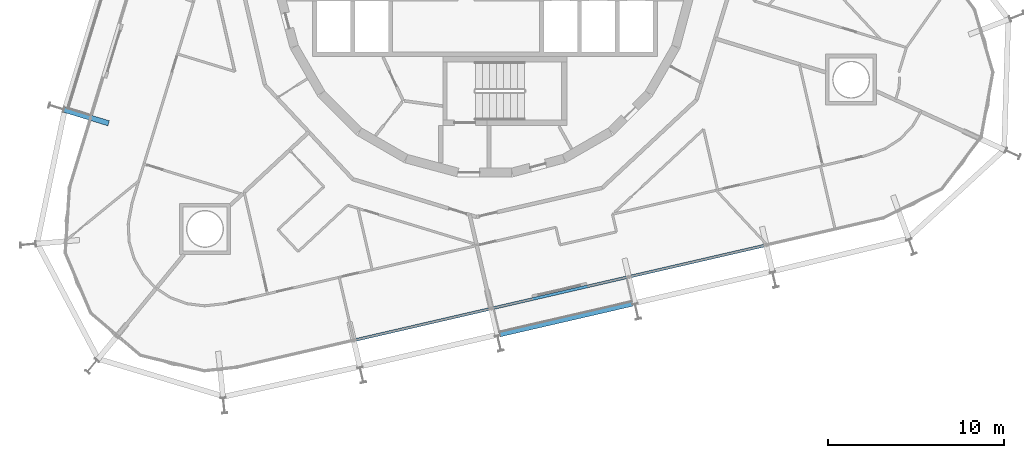
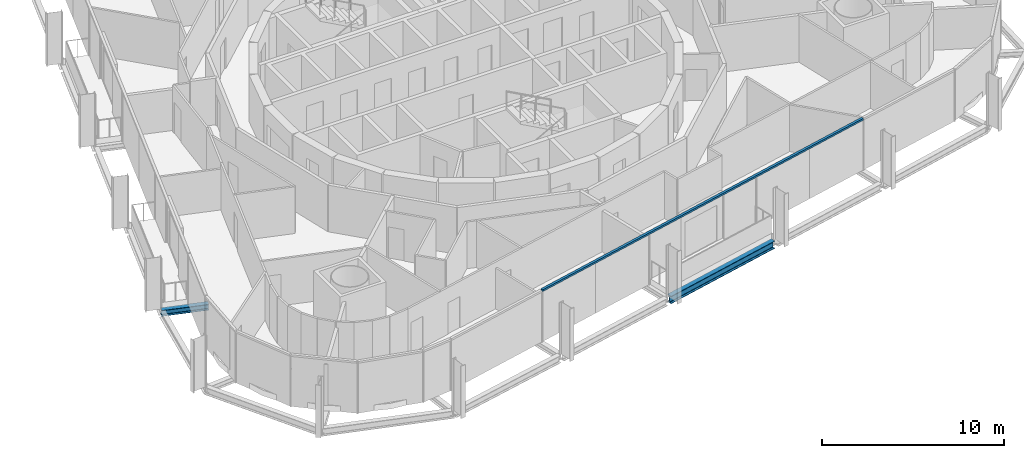
# One storey, part 4 of 18: 2 beams, 1 member, 1 element without a shape of its own.
"""IFC4 building model written with IfcOpenShell, lengths in metres."""

from ifc_helpers import new_model, si_unit, direction, frame, origin, origin_2d, place, context, subcontext, project, spatial, rectangle, i_section, extrude, material, layer, layer_set, material_profile, profile_set, type_object, element, aggregate, save


model = new_model("IFC4")

# Units and contexts
model_context = context("Model", 3, precision=1e-05, world=origin(), true_north=direction((0.0, 1.0)))
body_context = subcontext(model_context, "Body", "Model", "MODEL_VIEW")
ifc_project = project(units=[si_unit("LENGTHUNIT", "METRE"), si_unit("AREAUNIT", "SQUARE_METRE"), si_unit("VOLUMEUNIT", "CUBIC_METRE"), si_unit("PLANEANGLEUNIT", "RADIAN"), si_unit("MASSUNIT", "GRAM", prefix="KILO")], contexts=[model_context])

# Site, building, storey
site_placement = place(None, origin())
site = spatial("IfcSite", under=ifc_project, at=site_placement, CompositionType="ELEMENT")
building_placement = place(site_placement, origin())
building = spatial("IfcBuilding", under=site, at=building_placement, Name="Spindle Arch Residences", CompositionType="ELEMENT")
storey_placement = place(building_placement, frame((0.0, 0.0, 137.89990234375)))
storey = spatial("IfcBuildingStorey", under=building, at=storey_placement, Name="L34", CompositionType="ELEMENT", Elevation=137.89990234375)

# Curtain wall, member
ifc_material_1 = material(Name="Aluminium bronze unitised frame with tinted glass", Category="aluminium")
ifc_layer = layer(ifc_material_1, 0.159912109375)
ifc_layer_set = layer_set([ifc_layer], Name="CW-C typical residential unitised wall")
curtain_wall_type = type_object("IfcCurtainWallType", Name="CW-C typical residential unitised wall", PredefinedType="NOTDEFINED", material=ifc_layer_set)
curtain_wall_placement = place(storey_placement, origin())
curtain_wall = element("IfcCurtainWall", 1, at=curtain_wall_placement, inside=storey, type_object=curtain_wall_type, Name="CW-C L34 run 6", PredefinedType="NOTDEFINED")
ifc_material_2 = material(Name="Aluminium bronze anodised transom", Category="aluminium")
ifc_material_profile_1 = material_profile(ifc_material_2, rectangle(XDim=0.159912109375, YDim=0.1201171875, at=origin_2d()), Name="TR 120x160")
ifc_profile_set_1 = profile_set([ifc_material_profile_1], Name="Aluminium bronze anodised transom")
member_type = type_object("IfcMemberType", Name="Bronze transom 120x160", PredefinedType="USERDEFINED", material=ifc_profile_set_1)
member_placement = place(storey_placement, frame((-7.438232421875, -21.187255859375, 3.06005859375), z_axis=(0.974369784879, 0.224952266747, 0.0), x_axis=(-0.224952266747, 0.974369784879, 0.0)))
member = element("IfcMember", 2, at=member_placement, type_object=member_type, Name="CW-C transom 00", ObjectType="TRANSOM", PredefinedType="USERDEFINED", context=body_context, shape_type="SweptSolid", body=[
    extrude(rectangle(XDim=0.159912109375, YDim=0.1201171875, at=origin_2d()), origin(), (0.0, 0.0, 1.0), 24.02734375),
])
aggregate(curtain_wall, [member])

# Beams
ifc_material_3 = material(Name="Steel S460ML, intumescent coating R 120", Category="steel")
ifc_material_profile_2 = material_profile(ifc_material_3, i_section(OverallWidth=0.300048828125, OverallDepth=0.5, WebThickness=0.014404296875, FlangeThickness=0.028076171875, FilletRadius=0.027099609375, at=origin_2d()), Name="HEB 500")
ifc_profile_set_2 = profile_set([ifc_material_profile_2], Name="Steel S460ML, intumescent coating R 120")
beam_type_1 = type_object("IfcBeamType", Name="Exoskeleton edge beam HEB 500", PredefinedType="BEAM", material=ifc_profile_set_2)
beam_1_placement = place(storey_placement, frame((0.82666015625, -20.849365234375, -0.6298828125), z_axis=(0.974366827477, 0.224965076206, 0.0), x_axis=(-0.224965076206, 0.974366827477, 0.0)))
element("IfcBeam", 3, at=beam_1_placement, inside=storey, type_object=beam_type_1, Name="Exoskeleton edge beam 22", PredefinedType="BEAM", context=body_context, shape_type="SweptSolid", body=[
    extrude(i_section(OverallWidth=0.300048828125, OverallDepth=0.5, WebThickness=0.014404296875, FlangeThickness=0.028076171875, FilletRadius=0.027099609375, at=origin_2d()), origin(), (0.0, 0.0, 1.0), 7.769287109375),
])
ifc_material_4 = material(Name="Steel S460ML, intumescent coating R 120", Category="steel")
ifc_material_profile_3 = material_profile(ifc_material_4, i_section(OverallWidth=0.300048828125, OverallDepth=0.389892578125, WebThickness=0.010986328125, FlangeThickness=0.01904296875, FilletRadius=0.027099609375, at=origin_2d()), Name="HEA 400")
ifc_profile_set_3 = profile_set([ifc_material_profile_3], Name="Steel S460ML, intumescent coating R 120")
beam_type_2 = type_object("IfcBeamType", Name="Floor outrigger HEA 400", PredefinedType="BEAM", material=ifc_profile_set_3)
beam_2_placement = place(storey_placement, frame((-23.947265625, -8.0712890625, -0.574951171875), z_axis=(0.956291475666, -0.292415139091, 0.0), x_axis=(0.292415139091, 0.956291475666, 0.0)))
element("IfcBeam", 4, at=beam_2_placement, inside=storey, type_object=beam_type_2, Name="Floor outrigger 17", PredefinedType="BEAM", context=body_context, shape_type="SweptSolid", body=[
    extrude(i_section(OverallWidth=0.300048828125, OverallDepth=0.389892578125, WebThickness=0.010986328125, FlangeThickness=0.01904296875, FilletRadius=0.027099609375, at=origin_2d()), origin(), (0.0, 0.0, 1.0), 2.64990234375),
])

save(model, "model.ifc")
